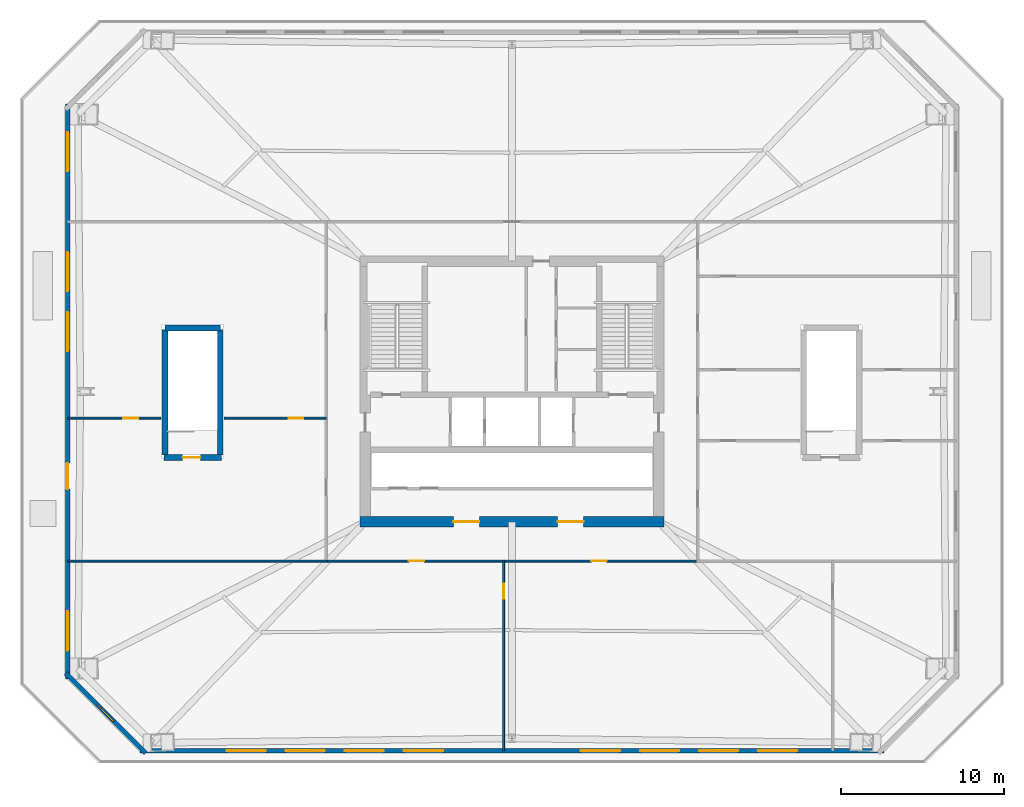
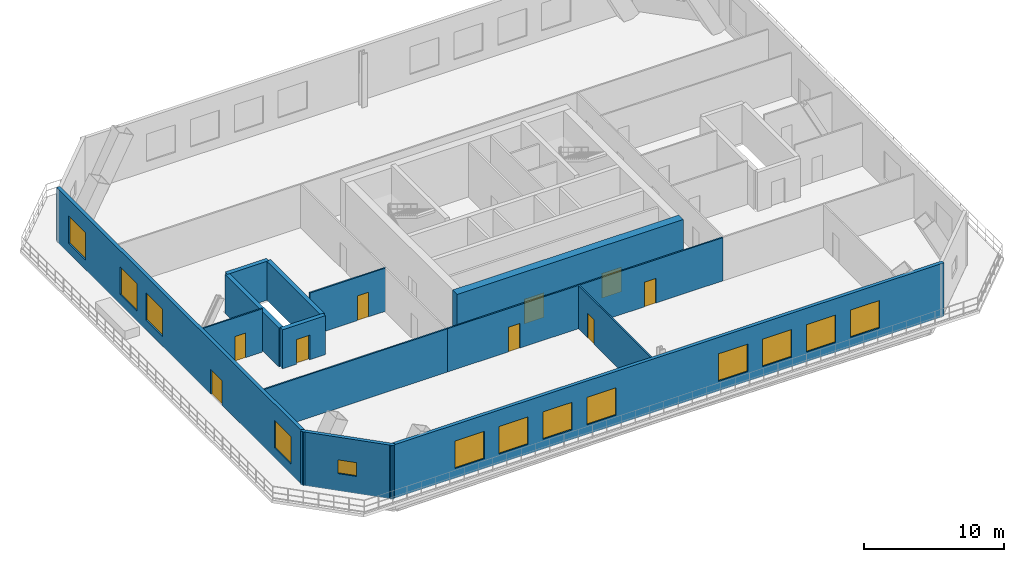
# One storey, part 2 of 7: 13 walls, 13 windows, 9 doors, 22 openings.
"""IFC4 building model written with IfcOpenShell, lengths in metres."""

from ifc_helpers import new_model, si_unit, direction, frame, frame_2d, origin, place, context, subcontext, project, spatial, rectangle, extrude, material, layer, layer_set, type_object, element, fill, save


model = new_model("IFC4")

# Units and contexts
model_context = context("Model", 3, precision=1e-05, world=origin(), true_north=direction((0.0, 1.0)))
body_context = subcontext(model_context, "Body", "Model", "MODEL_VIEW")
ifc_project = project(units=[si_unit("LENGTHUNIT", "METRE"), si_unit("AREAUNIT", "SQUARE_METRE"), si_unit("VOLUMEUNIT", "CUBIC_METRE"), si_unit("PLANEANGLEUNIT", "RADIAN"), si_unit("MASSUNIT", "GRAM", prefix="KILO")], contexts=[model_context])

# Site, building, storey
site_placement = place(None, origin())
site = spatial("IfcSite", under=ifc_project, at=site_placement, CompositionType="ELEMENT")
building_placement = place(site_placement, origin())
building = spatial("IfcBuilding", under=site, at=building_placement, Name="Caelvoria Tower", CompositionType="ELEMENT")
storey_placement = place(building_placement, frame((0.0, 0.0, 23.0)))
storey = spatial("IfcBuildingStorey", under=building, at=storey_placement, Name="L05", CompositionType="ELEMENT", Elevation=23.0)

# Wall, opening, door
ifc_material_1 = material(Name="Concrete C50/60", Category="concrete")
ifc_layer_1 = layer(ifc_material_1, 0.35009765625, Name="Concrete C50/60")
ifc_layer_set_1 = layer_set([ifc_layer_1], Name="Core Internal Shear Wall 350 - Concrete C50/60")
wall_type_1 = type_object("IfcWallType", Name="Core Internal Shear Wall 350", PredefinedType="SHEAR", material=ifc_layer_set_1)
wall_1_placement = place(storey_placement, frame((24.625, 27.949951171875, 0.0), z_axis=(0.0, 0.0, 1.0), x_axis=(1.0, 0.0, 0.0)))
wall_1 = element("IfcWall", 1, at=wall_1_placement, inside=storey, type_object=wall_type_1, Name="Podium Stair Enclosure L05 ST3 S", PredefinedType="SHEAR", context=body_context, shape_type="SweptSolid", body=[
    extrude(rectangle(XDim=3.550048828125, YDim=0.35009765625, at=frame_2d((1.77490234375, 0.0))), origin(), (0.0, 0.0, 1.0), 3.39990234375),
])
opening_1_placement = place(wall_1_placement, frame((1.14990234375, 0.0, 0.0)))
opening_1 = element("IfcOpeningElement", 2, at=opening_1_placement, cuts=wall_1, Name="Opening ID-01", PredefinedType="OPENING", context=body_context, shape_type="SweptSolid", body=[
    extrude(rectangle(XDim=1.10009765625, YDim=2.14990234375, at=frame_2d((0.550048828125, 1.074951171875))), frame((0.0, 0.18505859375, 0.0), z_axis=(0.0, -1.0, 0.0), x_axis=(1.0, 0.0, 0.0)), (0.0, 0.0, 1.0), 0.3701171875),
])
ifc_material_2 = material(Name="Painted Hollow Steel Fire Door", Category="steel")
door_type_1 = type_object("IfcDoorType", Name="Fire Door FD90S 1100x2150", OperationType="NOTDEFINED", PredefinedType="DOOR", material=ifc_material_2)
door_1_placement = place(opening_1_placement, origin())
door_1 = element("IfcDoor", 3, at=door_1_placement, inside=storey, type_object=door_type_1, Name="Podium Stair Top Exit Door ST3", OperationType="SINGLE_SWING_LEFT", OverallHeight=2.14990234375, OverallWidth=1.10009765625, PredefinedType="DOOR", context=body_context, shape_type="SweptSolid", body=[
    extrude(rectangle(XDim=1.10009765625, YDim=2.14990234375, at=frame_2d((0.550048828125, 1.074951171875))), frame((0.0, 0.02490234375, 0.0), z_axis=(0.0, -1.0, 0.0), x_axis=(1.0, 0.0, 0.0)), (0.0, 0.0, 1.0), 0.050048828125),
])
fill(opening_1, door_1)

# Walls
wall_2_placement = place(storey_placement, frame((24.699951171875, 35.89990234375, 0.0), z_axis=(0.0, 0.0, 1.0), x_axis=(1.0, 0.0, 0.0)))
element("IfcWall", 4, at=wall_2_placement, inside=storey, type_object=wall_type_1, Name="Podium Stair Enclosure L05 ST3 N", PredefinedType="SHEAR", context=body_context, shape_type="SweptSolid", body=[
    extrude(rectangle(XDim=3.400146484375, YDim=0.35009765625, at=frame_2d((1.7001953125, 0.0))), origin(), (0.0, 0.0, 1.0), 3.39990234375),
])
for number, where, z_axis, x_axis, name in (
    (5, (24.699951171875, 28.10009765625, 0.0), (0.0, 0.0, 1.0), (0.0, 1.0, 0.0), "Podium Stair Enclosure L05 ST3 W"),
    (6, (28.10009765625, 28.10009765625, 0.0), (0.0, 0.0, 1.0), (0.0, 1.0, 0.0), "Podium Stair Enclosure L05 ST3 E"),
):
    element("IfcWall", number, at=place(storey_placement, frame(where, z_axis=z_axis, x_axis=x_axis)), inside=storey, type_object=wall_type_1, Name=name, PredefinedType="SHEAR", context=body_context, shape_type="SweptSolid", body=[
        extrude(rectangle(XDim=7.699951171875, YDim=0.35009765625, at=frame_2d((3.85009765625, 0.0))), origin(), (0.0, 0.0, 1.0), 3.39990234375),
    ])

# Wall, openings, windows
ifc_material_3 = material(Name="Precast Concrete C40/50 with Bronze Cladding", Category="concrete")
ifc_layer_2 = layer(ifc_material_3, 0.280029296875, Name="Precast Concrete C40/50 with Bronze Cladding")
ifc_layer_set_2 = layer_set([ifc_layer_2], Name="Exterior Precast Concrete C40/50 Bronze-Clad Facade Wall 280 - Precast Concrete C40/50 with Bronze Cladding")
wall_type_2 = type_object("IfcWallType", Name="Exterior Precast Concrete C40/50 Bronze-Clad Facade Wall 280", PredefinedType="STANDARD", material=ifc_layer_set_2)
wall_3_placement = place(storey_placement, frame((23.159912109375, 9.93994140625, 0.0), z_axis=(0.0, 0.0, 1.0), x_axis=(1.0, 0.0, 0.0)))
wall_3 = element("IfcWall", 7, at=wall_3_placement, inside=storey, type_object=wall_type_2, Name="Exterior Facade Wall L05-E0", PredefinedType="STANDARD", context=body_context, shape_type="SweptSolid", body=[
    extrude(rectangle(XDim=45.68017578125, YDim=0.280029296875, at=frame_2d((22.840087890625, 0.0))), origin(), (0.0, 0.0, 1.0), 4.679931640625),
])
opening_2_placement = place(wall_3_placement, frame((5.3349609375, 0.0, 0.85009765625)))
opening_2 = element("IfcOpeningElement", 8, at=opening_2_placement, cuts=wall_3, Name="Opening WN-04", PredefinedType="OPENING", context=body_context, shape_type="SweptSolid", body=[
    extrude(rectangle(XDim=2.39990234375, YDim=2.39990234375, at=frame_2d((1.199951171875, 1.199951171875))), frame((0.0, 0.14990234375, 0.0), z_axis=(0.0, -1.0, 0.0), x_axis=(1.0, 0.0, 0.0)), (0.0, 0.0, 1.0), 0.300048828125),
])
opening_3_placement = place(wall_3_placement, frame((8.958251953125, 0.0, 0.85009765625)))
opening_3 = element("IfcOpeningElement", 9, at=opening_3_placement, cuts=wall_3, Name="Opening WN-04", PredefinedType="OPENING", context=body_context, shape_type="SweptSolid", body=[
    extrude(rectangle(XDim=2.39990234375, YDim=2.39990234375, at=frame_2d((1.199951171875, 1.199951171875))), frame((0.0, 0.14990234375, 0.0), z_axis=(0.0, -1.0, 0.0), x_axis=(1.0, 0.0, 0.0)), (0.0, 0.0, 1.0), 0.300048828125),
])
opening_4_placement = place(wall_3_placement, frame((12.581787109375, 0.0, 0.85009765625)))
opening_4 = element("IfcOpeningElement", 10, at=opening_4_placement, cuts=wall_3, Name="Opening WN-04", PredefinedType="OPENING", context=body_context, shape_type="SweptSolid", body=[
    extrude(rectangle(XDim=2.39990234375, YDim=2.39990234375, at=frame_2d((1.199951171875, 1.199951171875))), frame((0.0, 0.14990234375, 0.0), z_axis=(0.0, -1.0, 0.0), x_axis=(1.0, 0.0, 0.0)), (0.0, 0.0, 1.0), 0.300048828125),
])
opening_5_placement = place(wall_3_placement, frame((16.205078125, 0.0, 0.85009765625)))
opening_5 = element("IfcOpeningElement", 11, at=opening_5_placement, cuts=wall_3, Name="Opening WN-04", PredefinedType="OPENING", context=body_context, shape_type="SweptSolid", body=[
    extrude(rectangle(XDim=2.39990234375, YDim=2.39990234375, at=frame_2d((1.199951171875, 1.199951171875))), frame((0.0, 0.14990234375, 0.0), z_axis=(0.0, -1.0, 0.0), x_axis=(1.0, 0.0, 0.0)), (0.0, 0.0, 1.0), 0.300048828125),
])
opening_6_placement = place(wall_3_placement, frame((27.074951171875, 0.0, 0.85009765625)))
opening_6 = element("IfcOpeningElement", 12, at=opening_6_placement, cuts=wall_3, Name="Opening WN-04", PredefinedType="OPENING", context=body_context, shape_type="SweptSolid", body=[
    extrude(rectangle(XDim=2.39990234375, YDim=2.39990234375, at=frame_2d((1.199951171875, 1.199951171875))), frame((0.0, 0.14990234375, 0.0), z_axis=(0.0, -1.0, 0.0), x_axis=(1.0, 0.0, 0.0)), (0.0, 0.0, 1.0), 0.300048828125),
])
opening_7_placement = place(wall_3_placement, frame((30.6982421875, 0.0, 0.85009765625)))
opening_7 = element("IfcOpeningElement", 13, at=opening_7_placement, cuts=wall_3, Name="Opening WN-04", PredefinedType="OPENING", context=body_context, shape_type="SweptSolid", body=[
    extrude(rectangle(XDim=2.39990234375, YDim=2.39990234375, at=frame_2d((1.199951171875, 1.199951171875))), frame((0.0, 0.14990234375, 0.0), z_axis=(0.0, -1.0, 0.0), x_axis=(1.0, 0.0, 0.0)), (0.0, 0.0, 1.0), 0.300048828125),
])
opening_8_placement = place(wall_3_placement, frame((34.32177734375, 0.0, 0.85009765625)))
opening_8 = element("IfcOpeningElement", 14, at=opening_8_placement, cuts=wall_3, Name="Opening WN-04", PredefinedType="OPENING", context=body_context, shape_type="SweptSolid", body=[
    extrude(rectangle(XDim=2.39990234375, YDim=2.39990234375, at=frame_2d((1.199951171875, 1.199951171875))), frame((0.0, 0.14990234375, 0.0), z_axis=(0.0, -1.0, 0.0), x_axis=(1.0, 0.0, 0.0)), (0.0, 0.0, 1.0), 0.300048828125),
])
opening_9_placement = place(wall_3_placement, frame((37.945068359375, 0.0, 0.85009765625)))
opening_9 = element("IfcOpeningElement", 15, at=opening_9_placement, cuts=wall_3, Name="Opening WN-04", PredefinedType="OPENING", context=body_context, shape_type="SweptSolid", body=[
    extrude(rectangle(XDim=2.39990234375, YDim=2.39990234375, at=frame_2d((1.199951171875, 1.199951171875))), frame((0.0, 0.14990234375, 0.0), z_axis=(0.0, -1.0, 0.0), x_axis=(1.0, 0.0, 0.0)), (0.0, 0.0, 1.0), 0.300048828125),
])
ifc_material_4 = material(Name="Low-E Tinted Glass in Bronze Aluminium Frame", Category="aluminium")
window_type_1 = type_object("IfcWindowType", Name="Podium Commercial Ribbon Window 2400x2400", PartitioningType="SINGLE_PANEL", PredefinedType="WINDOW", material=ifc_material_4)
window_1_placement = place(opening_2_placement, origin())
window_1 = element("IfcWindow", 16, at=window_1_placement, inside=storey, type_object=window_type_1, Name="Facade Window L05-E0-01", OverallHeight=2.39990234375, OverallWidth=2.39990234375, PartitioningType="SINGLE_PANEL", PredefinedType="WINDOW", context=body_context, shape_type="SweptSolid", body=[
    extrude(rectangle(XDim=2.39990234375, YDim=2.39990234375, at=frame_2d((1.199951171875, 1.199951171875))), frame((0.0, 0.030029296875, 0.0), z_axis=(0.0, -1.0, 0.0), x_axis=(1.0, 0.0, 0.0)), (0.0, 0.0, 1.0), 0.06005859375),
])
fill(opening_2, window_1)
window_2_placement = place(opening_3_placement, origin())
window_2 = element("IfcWindow", 17, at=window_2_placement, inside=storey, type_object=window_type_1, Name="Facade Window L05-E0-02", OverallHeight=2.39990234375, OverallWidth=2.39990234375, PartitioningType="SINGLE_PANEL", PredefinedType="WINDOW", context=body_context, shape_type="SweptSolid", body=[
    extrude(rectangle(XDim=2.39990234375, YDim=2.39990234375, at=frame_2d((1.199951171875, 1.199951171875))), frame((0.0, 0.030029296875, 0.0), z_axis=(0.0, -1.0, 0.0), x_axis=(1.0, 0.0, 0.0)), (0.0, 0.0, 1.0), 0.06005859375),
])
fill(opening_3, window_2)
window_3_placement = place(opening_4_placement, origin())
window_3 = element("IfcWindow", 18, at=window_3_placement, inside=storey, type_object=window_type_1, Name="Facade Window L05-E0-03", OverallHeight=2.39990234375, OverallWidth=2.39990234375, PartitioningType="SINGLE_PANEL", PredefinedType="WINDOW", context=body_context, shape_type="SweptSolid", body=[
    extrude(rectangle(XDim=2.39990234375, YDim=2.39990234375, at=frame_2d((1.199951171875, 1.199951171875))), frame((0.0, 0.030029296875, 0.0), z_axis=(0.0, -1.0, 0.0), x_axis=(1.0, 0.0, 0.0)), (0.0, 0.0, 1.0), 0.06005859375),
])
fill(opening_4, window_3)
window_4_placement = place(opening_5_placement, origin())
window_4 = element("IfcWindow", 19, at=window_4_placement, inside=storey, type_object=window_type_1, Name="Facade Window L05-E0-04", OverallHeight=2.39990234375, OverallWidth=2.39990234375, PartitioningType="SINGLE_PANEL", PredefinedType="WINDOW", context=body_context, shape_type="SweptSolid", body=[
    extrude(rectangle(XDim=2.39990234375, YDim=2.39990234375, at=frame_2d((1.199951171875, 1.199951171875))), frame((0.0, 0.030029296875, 0.0), z_axis=(0.0, -1.0, 0.0), x_axis=(1.0, 0.0, 0.0)), (0.0, 0.0, 1.0), 0.06005859375),
])
fill(opening_5, window_4)
window_5_placement = place(opening_6_placement, origin())
window_5 = element("IfcWindow", 20, at=window_5_placement, inside=storey, type_object=window_type_1, Name="Facade Window L05-E0-07", OverallHeight=2.39990234375, OverallWidth=2.39990234375, PartitioningType="SINGLE_PANEL", PredefinedType="WINDOW", context=body_context, shape_type="SweptSolid", body=[
    extrude(rectangle(XDim=2.39990234375, YDim=2.39990234375, at=frame_2d((1.199951171875, 1.199951171875))), frame((0.0, 0.030029296875, 0.0), z_axis=(0.0, -1.0, 0.0), x_axis=(1.0, 0.0, 0.0)), (0.0, 0.0, 1.0), 0.06005859375),
])
fill(opening_6, window_5)
window_6_placement = place(opening_7_placement, origin())
window_6 = element("IfcWindow", 21, at=window_6_placement, inside=storey, type_object=window_type_1, Name="Facade Window L05-E0-08", OverallHeight=2.39990234375, OverallWidth=2.39990234375, PartitioningType="SINGLE_PANEL", PredefinedType="WINDOW", context=body_context, shape_type="SweptSolid", body=[
    extrude(rectangle(XDim=2.39990234375, YDim=2.39990234375, at=frame_2d((1.199951171875, 1.199951171875))), frame((0.0, 0.030029296875, 0.0), z_axis=(0.0, -1.0, 0.0), x_axis=(1.0, 0.0, 0.0)), (0.0, 0.0, 1.0), 0.06005859375),
])
fill(opening_7, window_6)
window_7_placement = place(opening_8_placement, origin())
window_7 = element("IfcWindow", 22, at=window_7_placement, inside=storey, type_object=window_type_1, Name="Facade Window L05-E0-09", OverallHeight=2.39990234375, OverallWidth=2.39990234375, PartitioningType="SINGLE_PANEL", PredefinedType="WINDOW", context=body_context, shape_type="SweptSolid", body=[
    extrude(rectangle(XDim=2.39990234375, YDim=2.39990234375, at=frame_2d((1.199951171875, 1.199951171875))), frame((0.0, 0.030029296875, 0.0), z_axis=(0.0, -1.0, 0.0), x_axis=(1.0, 0.0, 0.0)), (0.0, 0.0, 1.0), 0.06005859375),
])
fill(opening_8, window_7)
window_8_placement = place(opening_9_placement, origin())
window_8 = element("IfcWindow", 23, at=window_8_placement, inside=storey, type_object=window_type_1, Name="Facade Window L05-E0-10", OverallHeight=2.39990234375, OverallWidth=2.39990234375, PartitioningType="SINGLE_PANEL", PredefinedType="WINDOW", context=body_context, shape_type="SweptSolid", body=[
    extrude(rectangle(XDim=2.39990234375, YDim=2.39990234375, at=frame_2d((1.199951171875, 1.199951171875))), frame((0.0, 0.030029296875, 0.0), z_axis=(0.0, -1.0, 0.0), x_axis=(1.0, 0.0, 0.0)), (0.0, 0.0, 1.0), 0.06005859375),
])
fill(opening_9, window_8)

# Wall, openings, windows, door
wall_4_placement = place(storey_placement, frame((18.739990234375, 49.639892578125, 0.0), z_axis=(0.0, 0.0, 1.0), x_axis=(0.0, -1.0, 0.0)))
wall_4 = element("IfcWall", 24, at=wall_4_placement, inside=storey, type_object=wall_type_2, Name="Exterior Facade Wall L05-E6", PredefinedType="STANDARD", context=body_context, shape_type="SweptSolid", body=[
    extrude(rectangle(XDim=35.27978515625, YDim=0.280029296875, at=frame_2d((17.639892578125, 0.0))), origin(), (0.0, 0.0, 1.0), 4.679931640625),
])
opening_10_placement = place(wall_4_placement, frame((22.0400390625, 0.0, 0.0)))
opening_10 = element("IfcOpeningElement", 25, at=opening_10_placement, cuts=wall_4, Name="Opening ED-03", PredefinedType="OPENING", context=body_context, shape_type="SweptSolid", body=[
    extrude(rectangle(XDim=1.60009765625, YDim=2.14990234375, at=frame_2d((0.800048828125, 1.074951171875))), frame((0.0, 0.14990234375, 0.0), z_axis=(0.0, -1.0, 0.0), x_axis=(1.0, 0.0, 0.0)), (0.0, 0.0, 1.0), 0.300048828125),
])
opening_11_placement = place(wall_4_placement, frame((1.73779296875, 0.0, 0.85009765625)))
opening_11 = element("IfcOpeningElement", 26, at=opening_11_placement, cuts=wall_4, Name="Opening WN-04", PredefinedType="OPENING", context=body_context, shape_type="SweptSolid", body=[
    extrude(rectangle(XDim=2.39990234375, YDim=2.39990234375, at=frame_2d((1.199951171875, 1.199951171875))), frame((0.0, 0.14990234375, 0.0), z_axis=(0.0, -1.0, 0.0), x_axis=(1.0, 0.0, 0.0)), (0.0, 0.0, 1.0), 0.300048828125),
])
opening_12_placement = place(wall_4_placement, frame((9.0888671875, 0.0, 0.85009765625)))
opening_12 = element("IfcOpeningElement", 27, at=opening_12_placement, cuts=wall_4, Name="Opening WN-04", PredefinedType="OPENING", context=body_context, shape_type="SweptSolid", body=[
    extrude(rectangle(XDim=2.39990234375, YDim=2.39990234375, at=frame_2d((1.199951171875, 1.199951171875))), frame((0.0, 0.14990234375, 0.0), z_axis=(0.0, -1.0, 0.0), x_axis=(1.0, 0.0, 0.0)), (0.0, 0.0, 1.0), 0.300048828125),
])
opening_13_placement = place(wall_4_placement, frame((12.764404296875, 0.0, 0.85009765625)))
opening_13 = element("IfcOpeningElement", 28, at=opening_13_placement, cuts=wall_4, Name="Opening WN-04", PredefinedType="OPENING", context=body_context, shape_type="SweptSolid", body=[
    extrude(rectangle(XDim=2.39990234375, YDim=2.39990234375, at=frame_2d((1.199951171875, 1.199951171875))), frame((0.0, 0.14990234375, 0.0), z_axis=(0.0, -1.0, 0.0), x_axis=(1.0, 0.0, 0.0)), (0.0, 0.0, 1.0), 0.300048828125),
])
opening_14_placement = place(wall_4_placement, frame((31.14208984375, 0.0, 0.85009765625)))
opening_14 = element("IfcOpeningElement", 29, at=opening_14_placement, cuts=wall_4, Name="Opening WN-04", PredefinedType="OPENING", context=body_context, shape_type="SweptSolid", body=[
    extrude(rectangle(XDim=2.39990234375, YDim=2.39990234375, at=frame_2d((1.199951171875, 1.199951171875))), frame((0.0, 0.14990234375, 0.0), z_axis=(0.0, -1.0, 0.0), x_axis=(1.0, 0.0, 0.0)), (0.0, 0.0, 1.0), 0.300048828125),
])
window_9_placement = place(opening_11_placement, origin())
window_9 = element("IfcWindow", 30, at=window_9_placement, inside=storey, type_object=window_type_1, Name="Facade Window L05-E6-00", OverallHeight=2.39990234375, OverallWidth=2.39990234375, PartitioningType="SINGLE_PANEL", PredefinedType="WINDOW", context=body_context, shape_type="SweptSolid", body=[
    extrude(rectangle(XDim=2.39990234375, YDim=2.39990234375, at=frame_2d((1.199951171875, 1.199951171875))), frame((0.0, 0.030029296875, 0.0), z_axis=(0.0, -1.0, 0.0), x_axis=(1.0, 0.0, 0.0)), (0.0, 0.0, 1.0), 0.06005859375),
])
fill(opening_11, window_9)
window_10_placement = place(opening_12_placement, origin())
window_10 = element("IfcWindow", 31, at=window_10_placement, inside=storey, type_object=window_type_1, Name="Facade Window L05-E6-02", OverallHeight=2.39990234375, OverallWidth=2.39990234375, PartitioningType="SINGLE_PANEL", PredefinedType="WINDOW", context=body_context, shape_type="SweptSolid", body=[
    extrude(rectangle(XDim=2.39990234375, YDim=2.39990234375, at=frame_2d((1.199951171875, 1.199951171875))), frame((0.0, 0.030029296875, 0.0), z_axis=(0.0, -1.0, 0.0), x_axis=(1.0, 0.0, 0.0)), (0.0, 0.0, 1.0), 0.06005859375),
])
fill(opening_12, window_10)
window_11_placement = place(opening_13_placement, origin())
window_11 = element("IfcWindow", 32, at=window_11_placement, inside=storey, type_object=window_type_1, Name="Facade Window L05-E6-03", OverallHeight=2.39990234375, OverallWidth=2.39990234375, PartitioningType="SINGLE_PANEL", PredefinedType="WINDOW", context=body_context, shape_type="SweptSolid", body=[
    extrude(rectangle(XDim=2.39990234375, YDim=2.39990234375, at=frame_2d((1.199951171875, 1.199951171875))), frame((0.0, 0.030029296875, 0.0), z_axis=(0.0, -1.0, 0.0), x_axis=(1.0, 0.0, 0.0)), (0.0, 0.0, 1.0), 0.06005859375),
])
fill(opening_13, window_11)
window_12_placement = place(opening_14_placement, origin())
window_12 = element("IfcWindow", 33, at=window_12_placement, inside=storey, type_object=window_type_1, Name="Facade Window L05-E6-08", OverallHeight=2.39990234375, OverallWidth=2.39990234375, PartitioningType="SINGLE_PANEL", PredefinedType="WINDOW", context=body_context, shape_type="SweptSolid", body=[
    extrude(rectangle(XDim=2.39990234375, YDim=2.39990234375, at=frame_2d((1.199951171875, 1.199951171875))), frame((0.0, 0.030029296875, 0.0), z_axis=(0.0, -1.0, 0.0), x_axis=(1.0, 0.0, 0.0)), (0.0, 0.0, 1.0), 0.06005859375),
])
fill(opening_14, window_12)
ifc_material_5 = material(Name="Anodised Bronze Aluminium and Laminated Glass", Category="aluminium")
door_type_2 = type_object("IfcDoorType", Name="Terrace Garden Double Glazed Door 1600x2150", OperationType="NOTDEFINED", PredefinedType="DOOR", material=ifc_material_5)
door_2_placement = place(opening_10_placement, origin())
door_2 = element("IfcDoor", 34, at=door_2_placement, inside=storey, type_object=door_type_2, Name="Terrace Roof Garden Door L05-W", OperationType="DOUBLE_DOOR_SINGLE_SWING", OverallHeight=2.14990234375, OverallWidth=1.60009765625, PredefinedType="DOOR", context=body_context, shape_type="SweptSolid", body=[
    extrude(rectangle(XDim=1.60009765625, YDim=2.14990234375, at=frame_2d((0.800048828125, 1.074951171875))), frame((0.0, 0.02490234375, 0.0), z_axis=(0.0, -1.0, 0.0), x_axis=(1.0, 0.0, 0.0)), (0.0, 0.0, 1.0), 0.050048828125),
])
fill(opening_10, door_2)

# Wall, opening, window
wall_5_placement = place(storey_placement, frame((18.60009765625, 14.697998046875, 0.0), z_axis=(0.0, 0.0, 1.0), x_axis=(0.707106781187, -0.707106781187, 0.0)))
wall_5 = element("IfcWall", 35, at=wall_5_placement, inside=storey, type_object=wall_type_2, Name="Exterior Facade Wall L05-E7", PredefinedType="STANDARD", context=body_context, shape_type="SweptSolid", body=[
    extrude(rectangle(XDim=6.9267578125, YDim=0.280029296875, at=frame_2d((3.46337890625, 0.0))), origin(), (0.0, 0.0, 1.0), 4.679931640625),
])
opening_15_placement = place(wall_5_placement, frame((2.763427734375, 0.0, 1.5)))
opening_15 = element("IfcOpeningElement", 36, at=opening_15_placement, cuts=wall_5, Name="Opening WN-06", PredefinedType="OPENING", context=body_context, shape_type="SweptSolid", body=[
    extrude(rectangle(XDim=1.39990234375, YDim=1.199951171875, at=frame_2d((0.699951171875, 0.60009765625))), frame((0.0, 0.14990234375, 0.0), z_axis=(0.0, -1.0, 0.0), x_axis=(1.0, 0.0, 0.0)), (0.0, 0.0, 1.0), 0.300048828125),
])
window_type_2 = type_object("IfcWindowType", Name="Podium Clerestory Window 1400x1200", PartitioningType="SINGLE_PANEL", PredefinedType="WINDOW", material=ifc_material_4)
window_13_placement = place(opening_15_placement, origin())
window_13 = element("IfcWindow", 37, at=window_13_placement, inside=storey, type_object=window_type_2, Name="Facade Window L05-E7-00", OverallHeight=1.199951171875, OverallWidth=1.39990234375, PartitioningType="SINGLE_PANEL", PredefinedType="WINDOW", context=body_context, shape_type="SweptSolid", body=[
    extrude(rectangle(XDim=1.39990234375, YDim=1.199951171875, at=frame_2d((0.699951171875, 0.60009765625))), frame((0.0, 0.030029296875, 0.0), z_axis=(0.0, -1.0, 0.0), x_axis=(1.0, 0.0, 0.0)), (0.0, 0.0, 1.0), 0.06005859375),
])
fill(opening_15, window_13)

# Wall, openings, doors
ifc_material_6 = material(Name="Concrete C60/75", Category="concrete")
ifc_layer_3 = layer(ifc_material_6, 0.64990234375, Name="Concrete C60/75")
ifc_layer_set_3 = layer_set([ifc_layer_3], Name="Lower Core Shear Wall 650 - Concrete C60/75")
wall_type_3 = type_object("IfcWallType", Name="Lower Core Shear Wall 650", PredefinedType="SHEAR", material=ifc_layer_set_3)
wall_6_placement = place(storey_placement, frame((36.675048828125, 24.0, 0.0), z_axis=(0.0, 0.0, 1.0), x_axis=(1.0, 0.0, 0.0)))
wall_6 = element("IfcWall", 38, at=wall_6_placement, inside=storey, type_object=wall_type_3, Name="Core Shear Wall L05 S", PredefinedType="SHEAR", context=body_context, shape_type="SweptSolid", body=[
    extrude(rectangle(XDim=18.64990234375, YDim=0.64990234375, at=frame_2d((9.324951171875, 0.0))), origin(), (0.0, 0.0, 1.0), 4.760009765625),
])
opening_16_placement = place(wall_6_placement, frame((5.72509765625, 0.0, 0.0)))
opening_16 = element("IfcOpeningElement", 39, at=opening_16_placement, cuts=wall_6, Name="Opening ID-08", PredefinedType="OPENING", context=body_context, shape_type="SweptSolid", body=[
    extrude(rectangle(XDim=1.60009765625, YDim=2.14990234375, at=frame_2d((0.800048828125, 1.074951171875))), frame((0.0, 0.3349609375, 0.0), z_axis=(0.0, -1.0, 0.0), x_axis=(1.0, 0.0, 0.0)), (0.0, 0.0, 1.0), 0.669921875),
])
opening_17_placement = place(wall_6_placement, frame((12.125, 0.0, 0.0)))
opening_17 = element("IfcOpeningElement", 40, at=opening_17_placement, cuts=wall_6, Name="Opening ID-08", PredefinedType="OPENING", context=body_context, shape_type="SweptSolid", body=[
    extrude(rectangle(XDim=1.60009765625, YDim=2.14990234375, at=frame_2d((0.800048828125, 1.074951171875))), frame((0.0, 0.3349609375, 0.0), z_axis=(0.0, -1.0, 0.0), x_axis=(1.0, 0.0, 0.0)), (0.0, 0.0, 1.0), 0.669921875),
])
ifc_material_7 = material(Name="Bronze-Framed Fire-Rated Glazed Double Door", Category="aluminium")
door_type_3 = type_object("IfcDoorType", Name="Double Lobby Glazed Door 1600x2200", OperationType="NOTDEFINED", PredefinedType="DOOR", material=ifc_material_7)
door_3_placement = place(opening_16_placement, origin())
door_3 = element("IfcDoor", 41, at=door_3_placement, inside=storey, type_object=door_type_3, Name="Core Door DR-L05-LLOB-S1", OperationType="DOUBLE_DOOR_SINGLE_SWING", OverallHeight=2.14990234375, OverallWidth=1.60009765625, PredefinedType="DOOR", context=body_context, shape_type="SweptSolid", body=[
    extrude(rectangle(XDim=1.60009765625, YDim=2.14990234375, at=frame_2d((0.800048828125, 1.074951171875))), frame((0.0, 0.02490234375, 0.0), z_axis=(0.0, -1.0, 0.0), x_axis=(1.0, 0.0, 0.0)), (0.0, 0.0, 1.0), 0.050048828125),
])
fill(opening_16, door_3)
door_4_placement = place(opening_17_placement, origin())
door_4 = element("IfcDoor", 42, at=door_4_placement, inside=storey, type_object=door_type_3, Name="Core Door DR-L05-LLOB-S2", OperationType="DOUBLE_DOOR_SINGLE_SWING", OverallHeight=2.14990234375, OverallWidth=1.60009765625, PredefinedType="DOOR", context=body_context, shape_type="SweptSolid", body=[
    extrude(rectangle(XDim=1.60009765625, YDim=2.14990234375, at=frame_2d((0.800048828125, 1.074951171875))), frame((0.0, 0.02490234375, 0.0), z_axis=(0.0, -1.0, 0.0), x_axis=(1.0, 0.0, 0.0)), (0.0, 0.0, 1.0), 0.050048828125),
])
fill(opening_17, door_4)

# Wall, opening, door
ifc_material_8 = material(Name="Acoustic Timber-Clad Operable Panel", Category="wood")
ifc_layer_4 = layer(ifc_material_8, 0.125, Name="Acoustic Timber-Clad Operable Panel")
ifc_layer_set_4 = layer_set([ifc_layer_4], Name="Operable Acoustic Folding Partition Wall 125 - Acoustic Timber-Clad Operable Panel")
wall_type_4 = type_object("IfcWallType", Name="Operable Acoustic Folding Partition Wall 125", PredefinedType="MOVABLE", material=ifc_layer_set_4)
wall_7_placement = place(storey_placement, frame((45.486083984375, 21.590087890625, 0.0), z_axis=(0.0, 0.0, 1.0), x_axis=(0.0, -1.0, 0.0)))
wall_7 = element("IfcWall", 43, at=wall_7_placement, inside=storey, type_object=wall_type_4, Name="Interior Partition IW-L05-SD-00-0", PredefinedType="MOVABLE", context=body_context, shape_type="SweptSolid", body=[
    extrude(rectangle(XDim=11.650146484375, YDim=0.1201171875, at=frame_2d((5.8251953125, 0.0))), origin(), (0.0, 0.0, 1.0), 3.780029296875),
])
opening_18_placement = place(wall_7_placement, frame((1.39990234375, 0.0, 0.0)))
opening_18 = element("IfcOpeningElement", 44, at=opening_18_placement, cuts=wall_7, Name="Opening ID-06", PredefinedType="OPENING", context=body_context, shape_type="SweptSolid", body=[
    extrude(rectangle(XDim=0.89990234375, YDim=2.14990234375, at=frame_2d((0.449951171875, 1.074951171875))), frame((0.0, 0.070068359375, 0.0), z_axis=(0.0, -1.0, 0.0), x_axis=(1.0, 0.0, 0.0)), (0.0, 0.0, 1.0), 0.14013671875),
])
ifc_material_9 = material(Name="Engineered Andean Oak Veneer Door", Category="wood")
door_type_4 = type_object("IfcDoorType", Name="Interior Timber Door 900x2150", OperationType="NOTDEFINED", PredefinedType="DOOR", material=ifc_material_9)
door_5_placement = place(opening_18_placement, origin())
door_5 = element("IfcDoor", 45, at=door_5_placement, inside=storey, type_object=door_type_4, Name="Interior Door DR-L05-SM-00-0", OperationType="SINGLE_SWING_RIGHT", OverallHeight=2.14990234375, OverallWidth=0.89990234375, PredefinedType="DOOR", context=body_context, shape_type="SweptSolid", body=[
    extrude(rectangle(XDim=0.89990234375, YDim=2.14990234375, at=frame_2d((0.449951171875, 1.074951171875))), frame((0.0, 0.02490234375, 0.0), z_axis=(0.0, -1.0, 0.0), x_axis=(1.0, 0.0, 0.0)), (0.0, 0.0, 1.0), 0.050048828125),
])
fill(opening_18, door_5)

# Wall, openings, doors
ifc_material_10 = material(Name="Acoustic Gypsum Board on Light-Gauge Stud", Category="gypsum")
ifc_layer_5 = layer(ifc_material_10, 0.1201171875, Name="Acoustic Gypsum Board on Light-Gauge Stud")
ifc_layer_set_5 = layer_set([ifc_layer_5], Name="Tenant Suite Acoustic Partition Wall 120 - Acoustic Gypsum Board on Light-Gauge Stud")
wall_type_5 = type_object("IfcWallType", Name="Tenant Suite Acoustic Partition Wall 120", PredefinedType="PARTITIONING", material=ifc_layer_set_5)
wall_8_placement = place(storey_placement, frame((34.64990234375, 21.590087890625, 0.0), z_axis=(0.0, 0.0, 1.0), x_axis=(1.0, 0.0, 0.0)))
wall_8 = element("IfcWall", 46, at=wall_8_placement, inside=storey, type_object=wall_type_5, Name="Interior Partition IW-L05-SCW-0", PredefinedType="PARTITIONING", context=body_context, shape_type="SweptSolid", body=[
    extrude(rectangle(XDim=22.7001953125, YDim=0.1201171875, at=frame_2d((11.35009765625, 0.0))), origin(), (0.0, 0.0, 1.0), 3.780029296875),
])
opening_19_placement = place(wall_8_placement, frame((5.012939453125, 0.0, 0.0)))
opening_19 = element("IfcOpeningElement", 47, at=opening_19_placement, cuts=wall_8, Name="Opening ID-05", PredefinedType="OPENING", context=body_context, shape_type="SweptSolid", body=[
    extrude(rectangle(XDim=0.949951171875, YDim=2.14990234375, at=frame_2d((0.47509765625, 1.074951171875))), frame((0.0, 0.070068359375, 0.0), z_axis=(0.0, -1.0, 0.0), x_axis=(1.0, 0.0, 0.0)), (0.0, 0.0, 1.0), 0.14013671875),
])
opening_20_placement = place(wall_8_placement, frame((16.22314453125, 0.0, 0.0)))
opening_20 = element("IfcOpeningElement", 48, at=opening_20_placement, cuts=wall_8, Name="Opening ID-05", PredefinedType="OPENING", context=body_context, shape_type="SweptSolid", body=[
    extrude(rectangle(XDim=0.949951171875, YDim=2.14990234375, at=frame_2d((0.47509765625, 1.074951171875))), frame((0.0, 0.070068359375, 0.0), z_axis=(0.0, -1.0, 0.0), x_axis=(1.0, 0.0, 0.0)), (0.0, 0.0, 1.0), 0.14013671875),
])
door_type_5 = type_object("IfcDoorType", Name="Interior Timber Door 950x2150", OperationType="NOTDEFINED", PredefinedType="DOOR", material=ifc_material_9)
door_6_placement = place(opening_19_placement, origin())
door_6 = element("IfcDoor", 49, at=door_6_placement, inside=storey, type_object=door_type_5, Name="Interior Door DR-L05-SC-00-0", OperationType="SINGLE_SWING_RIGHT", OverallHeight=2.14990234375, OverallWidth=0.949951171875, PredefinedType="DOOR", context=body_context, shape_type="SweptSolid", body=[
    extrude(rectangle(XDim=0.949951171875, YDim=2.14990234375, at=frame_2d((0.47509765625, 1.074951171875))), frame((0.0, 0.02490234375, 0.0), z_axis=(0.0, -1.0, 0.0), x_axis=(1.0, 0.0, 0.0)), (0.0, 0.0, 1.0), 0.050048828125),
])
fill(opening_19, door_6)
door_7_placement = place(opening_20_placement, origin())
door_7 = element("IfcDoor", 50, at=door_7_placement, inside=storey, type_object=door_type_5, Name="Interior Door DR-L05-SC-01-0", OperationType="SINGLE_SWING_LEFT", OverallHeight=2.14990234375, OverallWidth=0.949951171875, PredefinedType="DOOR", context=body_context, shape_type="SweptSolid", body=[
    extrude(rectangle(XDim=0.949951171875, YDim=2.14990234375, at=frame_2d((0.47509765625, 1.074951171875))), frame((0.0, 0.02490234375, 0.0), z_axis=(0.0, -1.0, 0.0), x_axis=(1.0, 0.0, 0.0)), (0.0, 0.0, 1.0), 0.050048828125),
])
fill(opening_20, door_7)

# Wall, opening, door
wall_9_placement = place(storey_placement, frame((34.590087890625, 30.35986328125, 0.0), z_axis=(0.0, 0.0, 1.0), x_axis=(-1.0, 0.0, 0.0)))
wall_9 = element("IfcWall", 51, at=wall_9_placement, inside=storey, type_object=wall_type_5, Name="Interior Partition IW-L05-WD-00-0", PredefinedType="PARTITIONING", context=body_context, shape_type="SweptSolid", body=[
    extrude(rectangle(XDim=6.239990234375, YDim=0.1201171875, at=frame_2d((3.1201171875, 0.0))), origin(), (0.0, 0.0, 1.0), 3.780029296875),
])
opening_21_placement = place(wall_9_placement, frame((1.39990234375, 0.0, 0.0)))
opening_21 = element("IfcOpeningElement", 52, at=opening_21_placement, cuts=wall_9, Name="Opening ID-06", PredefinedType="OPENING", context=body_context, shape_type="SweptSolid", body=[
    extrude(rectangle(XDim=0.89990234375, YDim=2.14990234375, at=frame_2d((0.449951171875, 1.074951171875))), frame((0.0, 0.070068359375, 0.0), z_axis=(0.0, -1.0, 0.0), x_axis=(1.0, 0.0, 0.0)), (0.0, 0.0, 1.0), 0.14013671875),
])
door_8_placement = place(opening_21_placement, origin())
door_8 = element("IfcDoor", 53, at=door_8_placement, inside=storey, type_object=door_type_4, Name="Interior Door DR-L05-WM-00-0", OperationType="SINGLE_SWING_RIGHT", OverallHeight=2.14990234375, OverallWidth=0.89990234375, PredefinedType="DOOR", context=body_context, shape_type="SweptSolid", body=[
    extrude(rectangle(XDim=0.89990234375, YDim=2.14990234375, at=frame_2d((0.449951171875, 1.074951171875))), frame((0.0, 0.02490234375, 0.0), z_axis=(0.0, -1.0, 0.0), x_axis=(1.0, 0.0, 0.0)), (0.0, 0.0, 1.0), 0.050048828125),
])
fill(opening_21, door_8)

wall_10_placement = place(storey_placement, frame((24.449951171875, 30.35986328125, 0.0), z_axis=(0.0, 0.0, 1.0), x_axis=(-1.0, 0.0, 0.0)))
wall_10 = element("IfcWall", 54, at=wall_10_placement, inside=storey, type_object=wall_type_5, Name="Interior Partition IW-L05-WD-00-1", PredefinedType="PARTITIONING", context=body_context, shape_type="SweptSolid", body=[
    extrude(rectangle(XDim=5.7099609375, YDim=0.1201171875, at=frame_2d((2.85498046875, 0.0))), origin(), (0.0, 0.0, 1.0), 3.780029296875),
])
opening_22_placement = place(wall_10_placement, frame((1.39990234375, 0.0, 0.0)))
opening_22 = element("IfcOpeningElement", 55, at=opening_22_placement, cuts=wall_10, Name="Opening ID-06", PredefinedType="OPENING", context=body_context, shape_type="SweptSolid", body=[
    extrude(rectangle(XDim=0.89990234375, YDim=2.14990234375, at=frame_2d((0.449951171875, 1.074951171875))), frame((0.0, 0.070068359375, 0.0), z_axis=(0.0, -1.0, 0.0), x_axis=(1.0, 0.0, 0.0)), (0.0, 0.0, 1.0), 0.14013671875),
])
door_9_placement = place(opening_22_placement, origin())
door_9 = element("IfcDoor", 56, at=door_9_placement, inside=storey, type_object=door_type_4, Name="Interior Door DR-L05-WM-00-1", OperationType="SINGLE_SWING_RIGHT", OverallHeight=2.14990234375, OverallWidth=0.89990234375, PredefinedType="DOOR", context=body_context, shape_type="SweptSolid", body=[
    extrude(rectangle(XDim=0.89990234375, YDim=2.14990234375, at=frame_2d((0.449951171875, 1.074951171875))), frame((0.0, 0.02490234375, 0.0), z_axis=(0.0, -1.0, 0.0), x_axis=(1.0, 0.0, 0.0)), (0.0, 0.0, 1.0), 0.050048828125),
])
fill(opening_22, door_9)

# Wall
wall_11_placement = place(storey_placement, frame((34.64990234375, 21.590087890625, 0.0), z_axis=(0.0, 0.0, 1.0), x_axis=(-1.0, 0.0, 0.0)))
element("IfcWall", 57, at=wall_11_placement, inside=storey, type_object=wall_type_5, Name="Interior Partition IW-L05-BSW-0", PredefinedType="PARTITIONING", context=body_context, shape_type="SweptSolid", body=[
    extrude(rectangle(XDim=15.909912109375, YDim=0.1201171875, at=frame_2d((7.955078125, 0.0))), origin(), (0.0, 0.0, 1.0), 3.780029296875),
])

save(model, "model.ifc")
